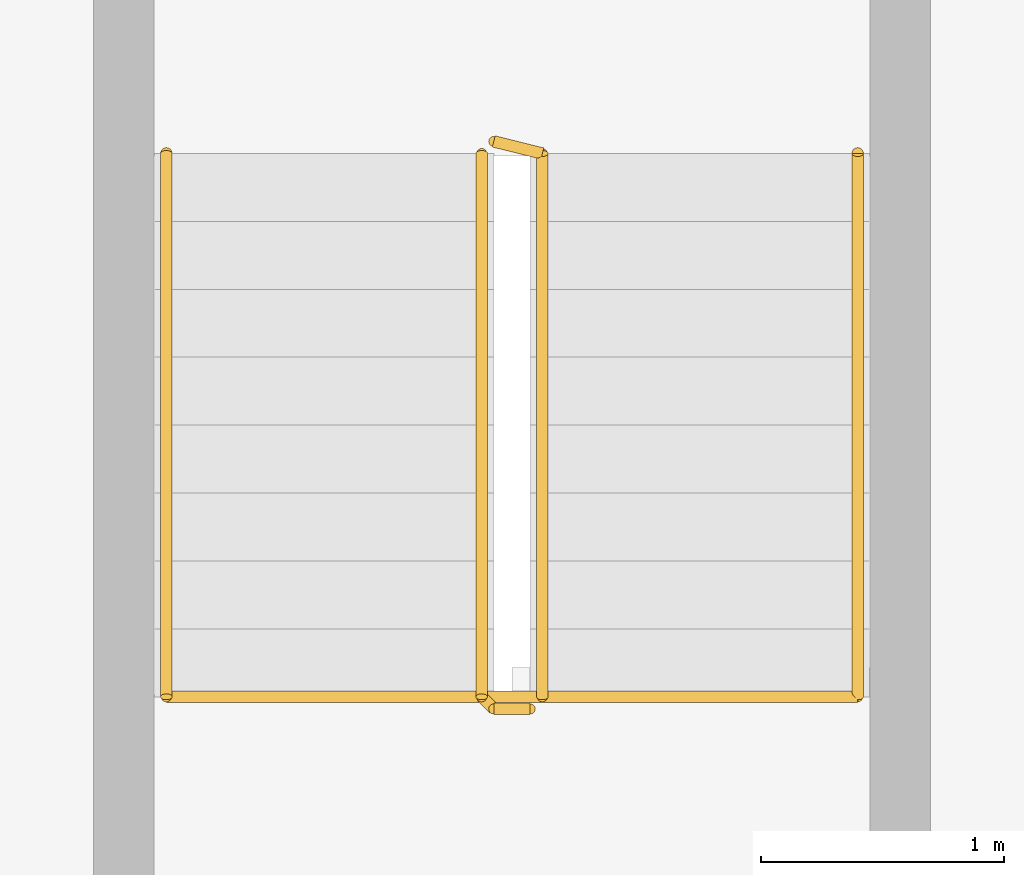
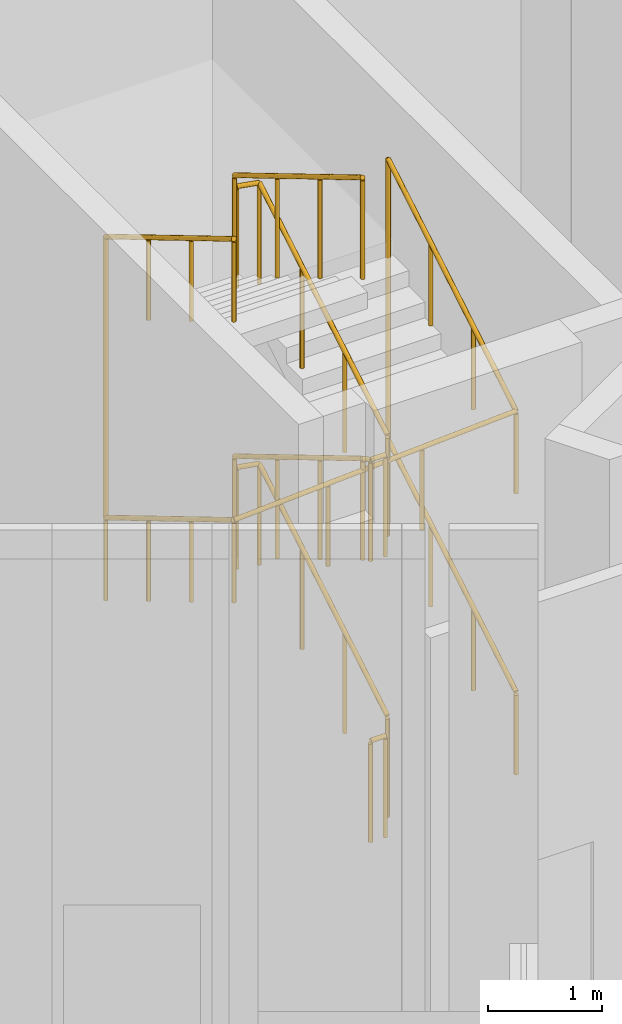
# One storey, part 39 of 41: 6 railings.
"""IFC4 building model written with IfcOpenShell, lengths in metres."""

from ifc_helpers import new_model, si_unit, direction, frame, origin, origin_2d, place, context, subcontext, project, spatial, circle, extrude, material, type_object, element, save


model = new_model("IFC4")

# Units and contexts
model_context = context("Model", 3, precision=1e-05, world=origin(), true_north=direction((0.0, 1.0)))
body_context = subcontext(model_context, "Body", "Model", "MODEL_VIEW")
ifc_project = project(units=[si_unit("LENGTHUNIT", "METRE"), si_unit("AREAUNIT", "SQUARE_METRE"), si_unit("VOLUMEUNIT", "CUBIC_METRE"), si_unit("PLANEANGLEUNIT", "RADIAN"), si_unit("MASSUNIT", "GRAM", prefix="KILO")], contexts=[model_context])

# Site, building, storey
site_placement = place(None, origin())
site = spatial("IfcSite", under=ifc_project, at=site_placement, CompositionType="ELEMENT")
building_placement = place(site_placement, origin())
building = spatial("IfcBuilding", under=site, at=building_placement, Name="Mestral Congress Tower", CompositionType="ELEMENT")
storey_placement = place(building_placement, frame((0.0, 0.0, 21.60009765625)))
storey = spatial("IfcBuildingStorey", under=building, at=storey_placement, Name="L04", CompositionType="ELEMENT", Elevation=21.60009765625)

# Railings
ifc_material_1 = material(Name="Steel balustrade", Category="steel")
railing_type_1 = type_object("IfcRailingType", Name="Stair guard 1100", PredefinedType="GUARDRAIL", material=ifc_material_1)
railing_1_placement = place(storey_placement, frame((0.125, 10.35009765625, 0.16650390625)))
element("IfcRailing", 1, at=railing_1_placement, inside=storey, type_object=railing_type_1, Name="L04 ST2 stair guard 1", PredefinedType="GUARDRAIL", context=body_context, shape_type="SweptSolid", body=[
    extrude(circle(Radius=0.02392578125, at=origin_2d()), frame((0.0, 0.0, 1.076171875), z_axis=(0.0, 0.859264461869, 0.511531606619), x_axis=(-1.0, 0.0, 0.0)), (0.0, 0.0, 1.0), 2.60693359375),
    extrude(circle(Radius=0.02392578125, at=origin_2d()), frame((0.0, 2.239990234375, 2.40966796875), z_axis=(-0.970351222016, 0.241699205484, 0.0), x_axis=(-0.241699205484, -0.970351222016, 0.0)), (0.0, 0.0, 1.0), 0.2060546875),
    extrude(circle(Radius=0.02099609375, at=origin_2d()), origin(), (0.0, 0.0, 1.0), 1.052001953125),
    extrude(circle(Radius=0.02099609375, at=origin_2d()), frame((0.0, 0.74658203125, 0.444580078125)), (0.0, 0.0, 1.0), 1.052001953125),
    extrude(circle(Radius=0.02099609375, at=origin_2d()), frame((0.0, 1.493408203125, 0.888916015625)), (0.0, 0.0, 1.0), 1.052001953125),
    extrude(circle(Radius=0.02099609375, at=origin_2d()), frame((0.0, 2.239990234375, 1.33349609375)), (0.0, 0.0, 1.0), 1.052001953125),
    extrude(circle(Radius=0.02099609375, at=origin_2d()), frame((-0.199951171875, 2.289794921875, 1.33349609375)), (0.0, 0.0, 1.0), 1.052001953125),
])
railing_2_placement = place(storey_placement, frame((-0.125, 12.590087890625, 1.66650390625)))
element("IfcRailing", 2, at=railing_2_placement, inside=storey, type_object=railing_type_1, Name="L04 ST2 stair guard 2", PredefinedType="GUARDRAIL", context=body_context, shape_type="SweptSolid", body=[
    extrude(circle(Radius=0.02392578125, at=origin_2d()), frame((0.0, 0.0, 1.076171875), z_axis=(0.0, -0.859264461869, 0.511531606619), x_axis=(1.0, 0.0, 0.0)), (0.0, 0.0, 1.0), 2.60693359375),
    extrude(circle(Radius=0.02392578125, at=origin_2d()), frame((0.0, -2.239990234375, 2.40966796875), z_axis=(0.707106781187, -0.707106781187, 0.0), x_axis=(0.707106781187, 0.707106781187, 0.0)), (0.0, 0.0, 1.0), 0.07080078125),
    extrude(circle(Radius=0.02392578125, at=origin_2d()), frame((0.050048828125, -2.2900390625, 2.40966796875), z_axis=(1.0, 0.0, 0.0), x_axis=(0.0, 1.0, 0.0)), (0.0, 0.0, 1.0), 0.14990234375),
    extrude(circle(Radius=0.02099609375, at=origin_2d()), origin(), (0.0, 0.0, 1.0), 1.052001953125),
    extrude(circle(Radius=0.02099609375, at=origin_2d()), frame((0.0, -0.74658203125, 0.444580078125)), (0.0, 0.0, 1.0), 1.052001953125),
    extrude(circle(Radius=0.02099609375, at=origin_2d()), frame((0.0, -1.493408203125, 0.888916015625)), (0.0, 0.0, 1.0), 1.052001953125),
    extrude(circle(Radius=0.02099609375, at=origin_2d()), frame((0.0, -2.239990234375, 1.33349609375)), (0.0, 0.0, 1.0), 1.052001953125),
    extrude(circle(Radius=0.02099609375, at=origin_2d()), frame((0.050048828125, -2.2900390625, 1.33349609375)), (0.0, 0.0, 1.0), 1.052001953125),
    extrude(circle(Radius=0.02099609375, at=origin_2d()), frame((0.199951171875, -2.2900390625, 1.33349609375)), (0.0, 0.0, 1.0), 1.052001953125),
])
railing_3_placement = place(storey_placement, frame((0.125, 10.35009765625, 3.16650390625)))
element("IfcRailing", 3, at=railing_3_placement, inside=storey, type_object=railing_type_1, Name="L04 ST2 stair guard 3", PredefinedType="GUARDRAIL", context=body_context, shape_type="SweptSolid", body=[
    extrude(circle(Radius=0.02392578125, at=origin_2d()), frame((0.0, 0.0, 1.076171875), z_axis=(0.0, 0.859264461869, 0.511531606619), x_axis=(-1.0, 0.0, 0.0)), (0.0, 0.0, 1.0), 2.60693359375),
    extrude(circle(Radius=0.02392578125, at=origin_2d()), frame((0.0, 2.239990234375, 2.40966796875), z_axis=(-0.970351222016, 0.241699205484, 0.0), x_axis=(-0.241699205484, -0.970351222016, 0.0)), (0.0, 0.0, 1.0), 0.2060546875),
    extrude(circle(Radius=0.02099609375, at=origin_2d()), origin(), (0.0, 0.0, 1.0), 1.052001953125),
    extrude(circle(Radius=0.02099609375, at=origin_2d()), frame((0.0, 0.74658203125, 0.444580078125)), (0.0, 0.0, 1.0), 1.052001953125),
    extrude(circle(Radius=0.02099609375, at=origin_2d()), frame((0.0, 1.493408203125, 0.888916015625)), (0.0, 0.0, 1.0), 1.052001953125),
    extrude(circle(Radius=0.02099609375, at=origin_2d()), frame((0.0, 2.239990234375, 1.33349609375)), (0.0, 0.0, 1.0), 1.052001953125),
    extrude(circle(Radius=0.02099609375, at=origin_2d()), frame((-0.199951171875, 2.289794921875, 1.33349609375)), (0.0, 0.0, 1.0), 1.052001953125),
])
railing_4_placement = place(storey_placement, frame((-0.125, 12.590087890625, 4.66650390625)))
element("IfcRailing", 4, at=railing_4_placement, inside=storey, type_object=railing_type_1, Name="L04 ST2 stair guard 4", PredefinedType="GUARDRAIL", context=body_context, shape_type="SweptSolid", body=[
    extrude(circle(Radius=0.02392578125, at=origin_2d()), frame((0.0, 0.0, 1.076171875), z_axis=(0.0, -0.859264461869, 0.511531606619), x_axis=(1.0, 0.0, 0.0)), (0.0, 0.0, 1.0), 2.60693359375),
    extrude(circle(Radius=0.02099609375, at=origin_2d()), origin(), (0.0, 0.0, 1.0), 1.052001953125),
    extrude(circle(Radius=0.02099609375, at=origin_2d()), frame((0.0, -0.74658203125, 0.444580078125)), (0.0, 0.0, 1.0), 1.052001953125),
    extrude(circle(Radius=0.02099609375, at=origin_2d()), frame((0.0, -1.493408203125, 0.888916015625)), (0.0, 0.0, 1.0), 1.052001953125),
    extrude(circle(Radius=0.02099609375, at=origin_2d()), frame((0.0, -2.239990234375, 1.33349609375)), (0.0, 0.0, 1.0), 1.052001953125),
])
railing_5_placement = place(storey_placement, frame((0.074951171875, 10.300048828125, 0.0)))
element("IfcRailing", 5, at=railing_5_placement, inside=storey, type_object=railing_type_1, Name="L04 ST2 stair guard 5", PredefinedType="GUARDRAIL", context=body_context, shape_type="SweptSolid", body=[
    extrude(circle(Radius=0.02392578125, at=origin_2d()), frame((0.0, 0.0, 1.076171875), z_axis=(-1.0, 0.0, 0.0), x_axis=(0.0, -1.0, 0.0)), (0.0, 0.0, 1.0), 0.14990234375),
    extrude(circle(Radius=0.02099609375, at=origin_2d()), origin(), (0.0, 0.0, 1.0), 1.052001953125),
    extrude(circle(Radius=0.02099609375, at=origin_2d()), frame((-0.14990234375, 0.0, 0.0)), (0.0, 0.0, 1.0), 1.052001953125),
])
ifc_material_2 = material(Name="Steel handrail", Category="steel")
railing_type_2 = type_object("IfcRailingType", Name="Stair handrail 900", PredefinedType="HANDRAIL", material=ifc_material_2)
railing_6_placement = place(storey_placement, frame((1.425048828125, 10.35009765625, 0.16650390625)))
element("IfcRailing", 6, at=railing_6_placement, inside=storey, type_object=railing_type_2, Name="L04 ST2 stair handrail 1", PredefinedType="HANDRAIL", context=body_context, shape_type="SweptSolid", body=[
    extrude(circle(Radius=0.02392578125, at=origin_2d()), frame((0.0, 0.0, 0.8759765625), z_axis=(0.0, 0.859264461869, 0.511531606619), x_axis=(-1.0, 0.0, 0.0)), (0.0, 0.0, 1.0), 2.60693359375),
    extrude(circle(Radius=0.02392578125, at=origin_2d()), frame((0.0, 2.239990234375, 2.20947265625), z_axis=(0.0, 0.0, 1.0), x_axis=(1.0, 0.0, 0.0)), (0.0, 0.0, 1.0), 3.0),
    extrude(circle(Radius=0.02392578125, at=origin_2d()), frame((0.0, 2.239990234375, 5.20947265625), z_axis=(0.0, -0.859264461869, -0.511531606619), x_axis=(1.0, 0.0, 0.0)), (0.0, 0.0, 1.0), 2.60693359375),
    extrude(circle(Radius=0.02392578125, at=origin_2d()), frame((0.0, 0.0, 3.8759765625), z_axis=(-0.998297882867, 0.0, -0.058320983049), x_axis=(0.0, -1.0, 0.0)), (0.0, 0.0, 1.0), 2.85498046875),
    extrude(circle(Radius=0.02392578125, at=origin_2d()), frame((-2.85009765625, 0.0, 3.70947265625), z_axis=(0.0, 0.859264461869, -0.511531606619), x_axis=(-1.0, 0.0, 0.0)), (0.0, 0.0, 1.0), 2.60693359375),
    extrude(circle(Radius=0.02392578125, at=origin_2d()), frame((-2.85009765625, 2.239990234375, 2.3759765625), z_axis=(0.0, 0.0, 1.0), x_axis=(1.0, 0.0, 0.0)), (0.0, 0.0, 1.0), 3.0),
    extrude(circle(Radius=0.02392578125, at=origin_2d()), frame((-2.85009765625, 2.239990234375, 5.3759765625), z_axis=(0.0, -0.859264461869, 0.511531606619), x_axis=(1.0, 0.0, 0.0)), (0.0, 0.0, 1.0), 2.60693359375),
    extrude(circle(Radius=0.02099609375, at=origin_2d()), origin(), (0.0, 0.0, 1.0), 0.851806640625),
    extrude(circle(Radius=0.02099609375, at=origin_2d()), frame((0.0, 0.74658203125, 0.444580078125)), (0.0, 0.0, 1.0), 0.851806640625),
    extrude(circle(Radius=0.02099609375, at=origin_2d()), frame((0.0, 1.493408203125, 0.888916015625)), (0.0, 0.0, 1.0), 0.851806640625),
    extrude(circle(Radius=0.02099609375, at=origin_2d()), frame((0.0, 2.239990234375, 1.33349609375)), (0.0, 0.0, 1.0), 0.851806640625),
    extrude(circle(Radius=0.02099609375, at=origin_2d()), frame((0.0, 2.239990234375, 2.33349609375)), (0.0, 0.0, 1.0), 0.851806640625),
    extrude(circle(Radius=0.02099609375, at=origin_2d()), frame((0.0, 2.239990234375, 3.33349609375)), (0.0, 0.0, 1.0), 0.851806640625),
    extrude(circle(Radius=0.02099609375, at=origin_2d()), frame((0.0, 2.239990234375, 4.33349609375)), (0.0, 0.0, 1.0), 0.851806640625),
    extrude(circle(Radius=0.02099609375, at=origin_2d()), frame((0.0, 1.493408203125, 3.888916015625)), (0.0, 0.0, 1.0), 0.851806640625),
    extrude(circle(Radius=0.02099609375, at=origin_2d()), frame((0.0, 0.74658203125, 3.444580078125)), (0.0, 0.0, 1.0), 0.851806640625),
    extrude(circle(Radius=0.02099609375, at=origin_2d()), frame((0.0, 0.0, 3.0)), (0.0, 0.0, 1.0), 0.851806640625),
    extrude(circle(Radius=0.02099609375, at=origin_2d()), frame((-0.949951171875, 0.0, 2.944580078125)), (0.0, 0.0, 1.0), 0.851806640625),
    extrude(circle(Radius=0.02099609375, at=origin_2d()), frame((-1.900146484375, 0.0, 2.888916015625)), (0.0, 0.0, 1.0), 0.851806640625),
    extrude(circle(Radius=0.02099609375, at=origin_2d()), frame((-2.85009765625, 0.0, 2.83349609375)), (0.0, 0.0, 1.0), 0.851806640625),
    extrude(circle(Radius=0.02099609375, at=origin_2d()), frame((-2.85009765625, 0.74658203125, 2.388916015625)), (0.0, 0.0, 1.0), 0.851806640625),
    extrude(circle(Radius=0.02099609375, at=origin_2d()), frame((-2.85009765625, 1.493408203125, 1.944580078125)), (0.0, 0.0, 1.0), 0.851806640625),
    extrude(circle(Radius=0.02099609375, at=origin_2d()), frame((-2.85009765625, 2.239990234375, 1.5)), (0.0, 0.0, 1.0), 0.851806640625),
    extrude(circle(Radius=0.02099609375, at=origin_2d()), frame((-2.85009765625, 2.239990234375, 2.5)), (0.0, 0.0, 1.0), 0.851806640625),
    extrude(circle(Radius=0.02099609375, at=origin_2d()), frame((-2.85009765625, 2.239990234375, 3.5)), (0.0, 0.0, 1.0), 0.851806640625),
    extrude(circle(Radius=0.02099609375, at=origin_2d()), frame((-2.85009765625, 2.239990234375, 4.5)), (0.0, 0.0, 1.0), 0.851806640625),
    extrude(circle(Radius=0.02099609375, at=origin_2d()), frame((-2.85009765625, 1.493408203125, 4.944580078125)), (0.0, 0.0, 1.0), 0.851806640625),
    extrude(circle(Radius=0.02099609375, at=origin_2d()), frame((-2.85009765625, 0.74658203125, 5.388916015625)), (0.0, 0.0, 1.0), 0.851806640625),
    extrude(circle(Radius=0.02099609375, at=origin_2d()), frame((-2.85009765625, 0.0, 5.83349609375)), (0.0, 0.0, 1.0), 0.851806640625),
])

save(model, "model.ifc")
